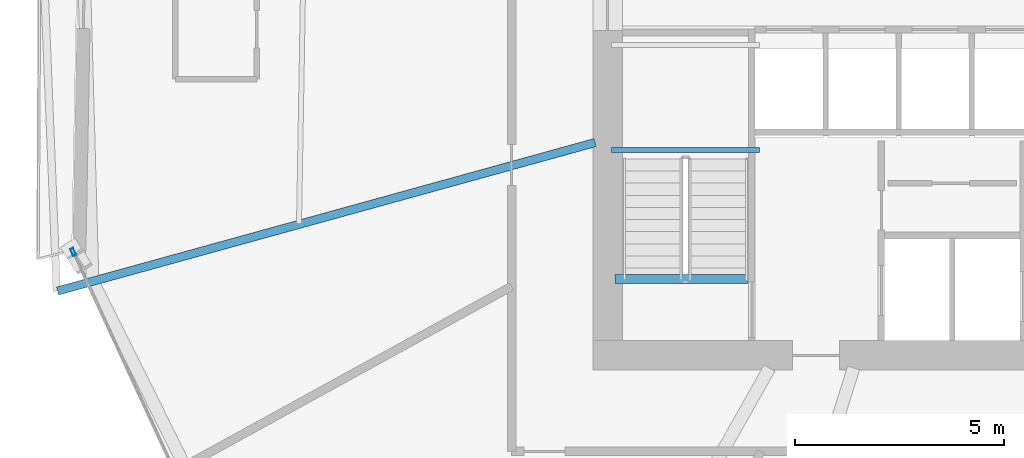
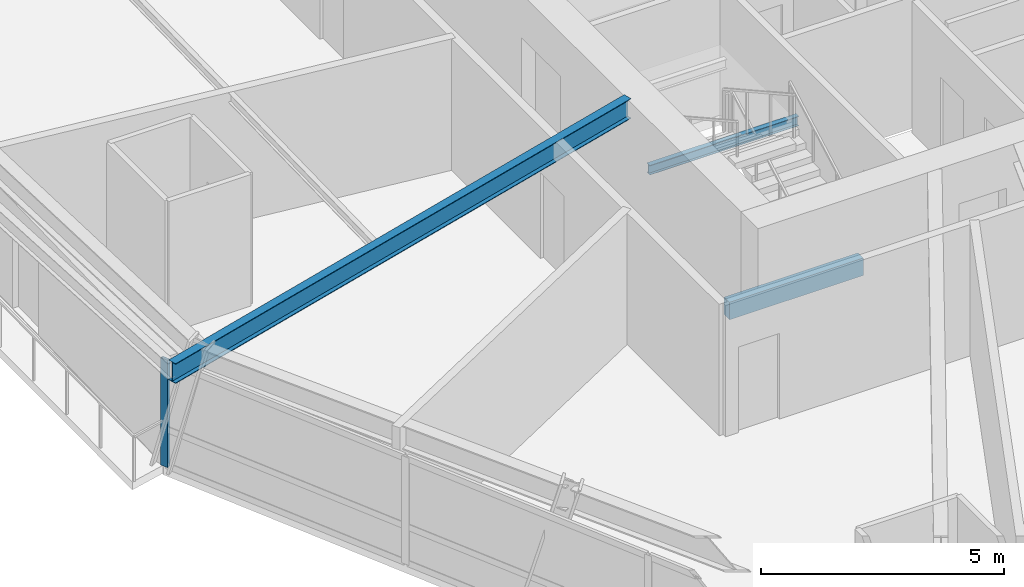
# One storey, part 5 of 22: 3 beams, 1 member, 1 element without a shape of its own.
"""IFC4 building model written with IfcOpenShell, lengths in metres."""

from ifc_helpers import new_model, si_unit, direction, frame, origin, origin_2d, place, context, subcontext, project, spatial, rectangle, hollow_rectangle, i_section, extrude, source, transform, mapped, material, material_profile, profile_set, type_object, element, aggregate, save


model = new_model("IFC4")

# Units and contexts
model_context = context("Model", 3, precision=1e-05, world=origin(), true_north=direction((0.0, 1.0)))
body_context = subcontext(model_context, "Body", "Model", "MODEL_VIEW")
ifc_project = project(units=[si_unit("LENGTHUNIT", "METRE"), si_unit("AREAUNIT", "SQUARE_METRE"), si_unit("VOLUMEUNIT", "CUBIC_METRE"), si_unit("PLANEANGLEUNIT", "RADIAN"), si_unit("MASSUNIT", "GRAM", prefix="KILO")], contexts=[model_context])

# Site, building, storey
site_placement = place(None, origin())
site = spatial("IfcSite", under=ifc_project, at=site_placement, CompositionType="ELEMENT")
building_placement = place(site_placement, origin())
building = spatial("IfcBuilding", under=site, at=building_placement, Name="Olszyna Solenne Hotel", CompositionType="ELEMENT")
storey_placement = place(building_placement, frame((0.0, 0.0, 95.050048828125)))
storey = spatial("IfcBuildingStorey", under=building, at=storey_placement, Name="L24", CompositionType="ELEMENT", Elevation=95.050048828125)

# Beam
ifc_material_1 = material(Name="Steel S355J2", Category="steel")
ifc_material_profile_1 = material_profile(ifc_material_1, i_section(OverallWidth=0.199951171875, OverallDepth=0.5, WebThickness=0.01025390625, FlangeThickness=0.01611328125, at=origin_2d()), Name="IPE 500", Category="load-bearing")
ifc_profile_set_1 = profile_set([ifc_material_profile_1], Name="Steel S355J2")
beam_type_1 = type_object("IfcBeamType", Name="BM-F3", PredefinedType="BEAM", material=ifc_profile_set_1)
shared_shape_1 = source(origin(), body_context, "Body", "SweptSolid", [
    extrude(i_section(OverallWidth=0.199951171875, OverallDepth=0.5, WebThickness=0.01025390625, FlangeThickness=0.01611328125, at=origin_2d()), origin(), (0.0, 0.0, 1.0), 13.34765625),
])
beam_1_placement = place(storey_placement, frame((16.58203125, 20.690185546875, 3.050048828125), z_axis=(0.963936005421, 0.266134134324, 0.0), x_axis=(-0.266134134324, 0.963936005421, 0.0)))
element("IfcBeam", 1, at=beam_1_placement, inside=storey, type_object=beam_type_1, Name="Radial floor girder BM-F3 B-L24-0737", PredefinedType="BEAM", context=body_context, shape_type="MappedRepresentation", body=[
    mapped(shared_shape_1, transform((0.0, 0.0, 0.0), x_axis=(1.0, 0.0, 0.0), y_axis=(0.0, 1.0, 0.0), z_axis=(0.0, 0.0, 1.0), scale=1.0)),
])

# Curtain wall, member
ifc_material_2 = material(Name="Anodised bronze aluminium", Category="aluminium")
curtain_wall_type = type_object("IfcCurtainWallType", Name="CW-SYS-3", PredefinedType="NOTDEFINED", material=ifc_material_2)
curtain_wall_placement = place(storey_placement, origin())
curtain_wall = element("IfcCurtainWall", 2, at=curtain_wall_placement, inside=storey, type_object=curtain_wall_type, Name="Unitised curtain wall CW-SYS-3 CW-L24-01", PredefinedType="NOTDEFINED")
ifc_material_profile_2 = material_profile(ifc_material_2, hollow_rectangle(XDim=0.074951171875, YDim=0.179931640625, WallThickness=0.00439453125, at=origin_2d()), Name="MULL 180x75x4.5", Category="load-bearing")
ifc_profile_set_2 = profile_set([ifc_material_profile_2], Name="Anodised bronze aluminium")
member_type = type_object("IfcMemberType", Name="CW-M2", PredefinedType="MULLION", material=ifc_profile_set_2)
shared_shape_2 = source(origin(), body_context, "Body", "SweptSolid", [
    extrude(hollow_rectangle(XDim=0.074951171875, YDim=0.179931640625, WallThickness=0.00439453125, at=origin_2d()), origin(), (0.0, 0.0, 1.0), 2.69189453125),
])
member_placement = place(storey_placement, frame((16.956787109375, 21.62451171875, 0.0), z_axis=(0.0, 0.0, 1.0), x_axis=(0.908085188814, 0.418785493846, 0.0)))
member = element("IfcMember", 3, at=member_placement, type_object=member_type, Name="Curtain-wall mullion CW-M2 CM-L24-01-01", PredefinedType="MULLION", context=body_context, shape_type="MappedRepresentation", body=[
    mapped(shared_shape_2, transform((0.0, 0.0, 0.0), x_axis=(1.0, 0.0, 0.0), y_axis=(0.0, 1.0, 0.0), z_axis=(0.0, 0.0, 1.0), scale=1.0)),
])
aggregate(curtain_wall, [member])

# Beams
ifc_material_profile_3 = material_profile(ifc_material_1, i_section(OverallWidth=0.1201171875, OverallDepth=0.239990234375, WebThickness=0.006103515625, FlangeThickness=0.009765625, at=origin_2d()), Name="IPE 240", Category="load-bearing")
ifc_profile_set_3 = profile_set([ifc_material_profile_3], Name="Steel S355J2")
beam_type_2 = type_object("IfcBeamType", Name="JS-03", PredefinedType="JOIST", material=ifc_profile_set_3)
shared_shape_3 = source(origin(), body_context, "Body", "SweptSolid", [
    extrude(i_section(OverallWidth=0.1201171875, OverallDepth=0.239990234375, WebThickness=0.006103515625, FlangeThickness=0.009765625, at=origin_2d()), origin(), (0.0, 0.0, 1.0), 3.539794921875),
])
beam_2_placement = place(storey_placement, frame((33.3798828125, 24.070068359375, 1.449951171875), z_axis=(-1.0, 0.0, 0.0), x_axis=(0.0, -1.0, 0.0)))
element("IfcBeam", 4, at=beam_2_placement, inside=storey, type_object=beam_type_2, Name="Stair landing support beam JS-03 SLB-ST1-0053", PredefinedType="JOIST", context=body_context, shape_type="MappedRepresentation", body=[
    mapped(shared_shape_3, transform((0.0, 0.0, 0.0), x_axis=(1.0, 0.0, 0.0), y_axis=(0.0, 1.0, 0.0), z_axis=(0.0, 0.0, 1.0), scale=1.0)),
])
ifc_material_3 = material(Name="Concrete C50/60", Category="concrete")
ifc_material_profile_4 = material_profile(ifc_material_3, rectangle(XDim=0.219970703125, YDim=0.43994140625, at=origin_2d()), Name="RC 220x440", Category="load-bearing")
ifc_profile_set_4 = profile_set([ifc_material_profile_4], Name="Concrete C50/60")
beam_type_3 = type_object("IfcBeamType", Name="BM-ST1", PredefinedType="BEAM", material=ifc_profile_set_4)
shared_shape_4 = source(origin(), body_context, "Body", "SweptSolid", [
    extrude(rectangle(XDim=0.219970703125, YDim=0.43994140625, at=origin_2d()), origin(), (0.0, 0.0, 1.0), 3.18017578125),
])
beam_3_placement = place(storey_placement, frame((33.10009765625, 20.97998046875, -0.205078125), z_axis=(-1.0, 0.0, 0.0), x_axis=(0.0, -1.0, 0.0)))
element("IfcBeam", 5, at=beam_3_placement, inside=storey, type_object=beam_type_3, Name="Concrete stair trimmer beam BM-ST1 SHB-ST1-0186", PredefinedType="BEAM", context=body_context, shape_type="MappedRepresentation", body=[
    mapped(shared_shape_4, transform((0.0, 0.0, 0.0), x_axis=(1.0, 0.0, 0.0), y_axis=(0.0, 1.0, 0.0), z_axis=(0.0, 0.0, 1.0), scale=1.0)),
])

save(model, "model.ifc")
